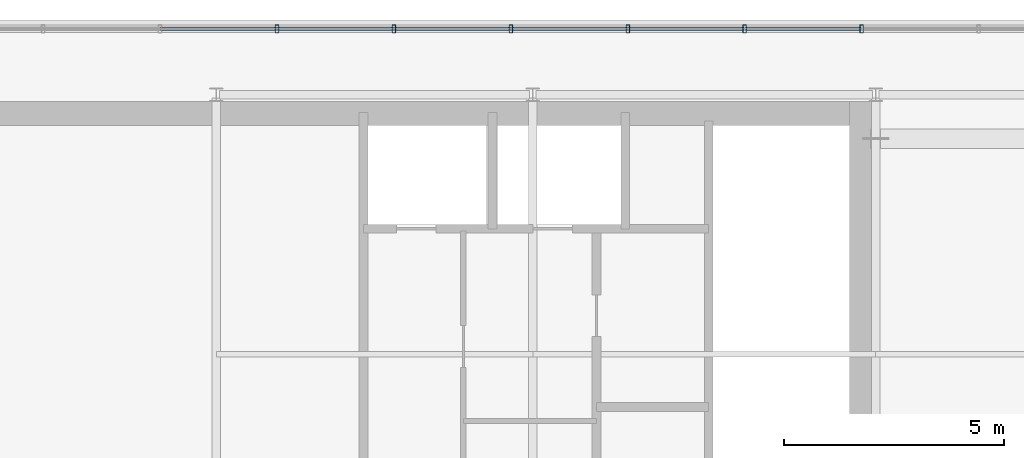
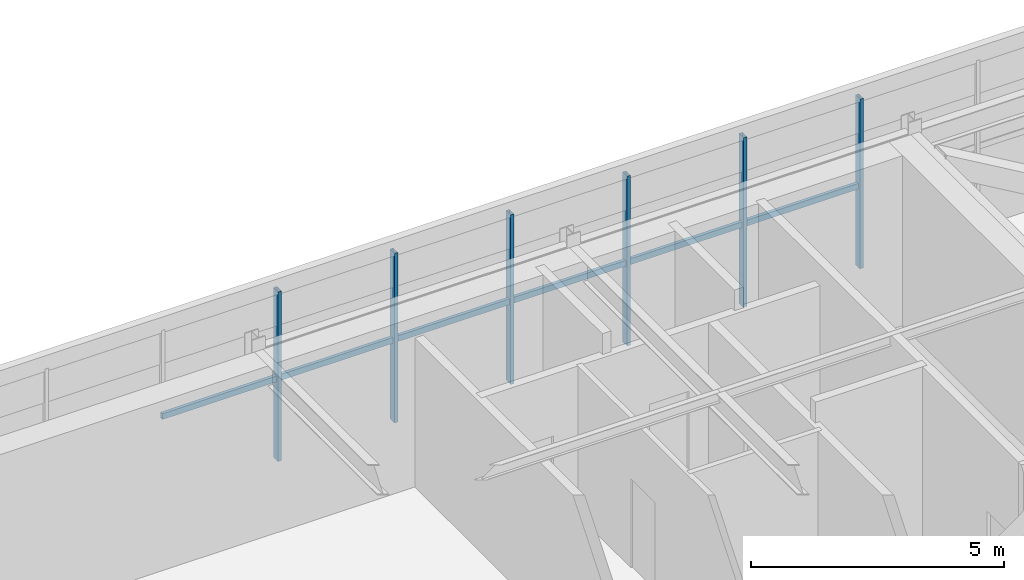
# One storey, part 25 of 37: 12 members, 1 element without a shape of its own.
"""IFC4 building model written with IfcOpenShell, lengths in metres."""

from ifc_helpers import new_model, si_unit, direction, frame, origin, origin_2d, place, context, subcontext, project, spatial, hollow_rectangle, extrude, source, transform, mapped, material, material_profile, profile_set, type_object, element, aggregate, save


model = new_model("IFC4")

# Units and contexts
model_context = context("Model", 3, precision=1e-05, world=origin(), true_north=direction((0.0, 1.0)))
body_context = subcontext(model_context, "Body", "Model", "MODEL_VIEW")
ifc_project = project(units=[si_unit("LENGTHUNIT", "METRE"), si_unit("AREAUNIT", "SQUARE_METRE"), si_unit("VOLUMEUNIT", "CUBIC_METRE"), si_unit("PLANEANGLEUNIT", "RADIAN"), si_unit("MASSUNIT", "GRAM", prefix="KILO")], contexts=[model_context])

# Site, building, storey
site_placement = place(None, origin())
site = spatial("IfcSite", under=ifc_project, at=site_placement, CompositionType="ELEMENT")
building_placement = place(site_placement, origin())
building = spatial("IfcBuilding", under=site, at=building_placement, Name="Trelvane Seafront Commons", CompositionType="ELEMENT")
storey_placement = place(building_placement, frame((0.0, 0.0, 303.5)))
storey = spatial("IfcBuildingStorey", under=building, at=storey_placement, Name="L79", CompositionType="ELEMENT", Elevation=303.5)

# Curtain wall, members
ifc_material = material(Name="Anodised pale-silver aluminium", Category="aluminium")
curtain_wall_type = type_object("IfcCurtainWallType", Name="ARCH-CW6-CROWN", PredefinedType="NOTDEFINED", material=ifc_material)
curtain_wall_placement = place(storey_placement, origin())
curtain_wall = element("IfcCurtainWall", 1, at=curtain_wall_placement, inside=storey, type_object=curtain_wall_type, Name="CW-L79-0129", PredefinedType="NOTDEFINED")
ifc_material_profile_1 = material_profile(ifc_material, hollow_rectangle(XDim=0.074951171875, YDim=0.139892578125, WallThickness=0.00390625, at=origin_2d()), Name="TRAN-75x140x4")
ifc_profile_set_1 = profile_set([ifc_material_profile_1], Name="Anodised pale-silver aluminium")
member_type_1 = type_object("IfcMemberType", Name="ARCH-CW-TRAN-140", PredefinedType="USERDEFINED", material=ifc_profile_set_1)
shared_shape_1 = source(origin(), body_context, "Body", "SweptSolid", [
    extrude(hollow_rectangle(XDim=0.074951171875, YDim=0.139892578125, WallThickness=0.00390625, at=origin_2d()), origin(), (0.0, 0.0, 1.0), 2.635986328125),
])
member_1_placement = place(storey_placement, frame((42.531982421875, 46.60009765625, 1.968017578125), z_axis=(1.0, 0.0, 0.0), x_axis=(0.0, 1.0, 0.0)))
member_1 = element("IfcMember", 2, at=member_1_placement, type_object=member_type_1, Name="CW-L79-0129-T12", ObjectType="TRANSOM", PredefinedType="USERDEFINED", context=body_context, shape_type="MappedRepresentation", body=[
    mapped(shared_shape_1, transform((0.0, 0.0, 0.0), x_axis=(1.0, 0.0, 0.0), y_axis=(0.0, 1.0, 0.0), z_axis=(0.0, 0.0, 1.0), scale=1.0)),
])
member_2_placement = place(storey_placement, frame((45.19189453125, 46.60009765625, 1.968017578125), z_axis=(1.0, 0.0, 0.0), x_axis=(0.0, 1.0, 0.0)))
member_2 = element("IfcMember", 3, at=member_2_placement, type_object=member_type_1, Name="CW-L79-0129-T13", ObjectType="TRANSOM", PredefinedType="USERDEFINED", context=body_context, shape_type="MappedRepresentation", body=[
    mapped(shared_shape_1, transform((0.0, 0.0, 0.0), x_axis=(1.0, 0.0, 0.0), y_axis=(0.0, 1.0, 0.0), z_axis=(0.0, 0.0, 1.0), scale=1.0)),
])
member_3_placement = place(storey_placement, frame((47.85205078125, 46.60009765625, 1.968017578125), z_axis=(1.0, 0.0, 0.0), x_axis=(0.0, 1.0, 0.0)))
member_3 = element("IfcMember", 4, at=member_3_placement, type_object=member_type_1, Name="CW-L79-0129-T14", ObjectType="TRANSOM", PredefinedType="USERDEFINED", context=body_context, shape_type="MappedRepresentation", body=[
    mapped(shared_shape_1, transform((0.0, 0.0, 0.0), x_axis=(1.0, 0.0, 0.0), y_axis=(0.0, 1.0, 0.0), z_axis=(0.0, 0.0, 1.0), scale=1.0)),
])
member_4_placement = place(storey_placement, frame((50.511962890625, 46.60009765625, 1.968017578125), z_axis=(1.0, 0.0, 0.0), x_axis=(0.0, 1.0, 0.0)))
member_4 = element("IfcMember", 5, at=member_4_placement, type_object=member_type_1, Name="CW-L79-0129-T15", ObjectType="TRANSOM", PredefinedType="USERDEFINED", context=body_context, shape_type="MappedRepresentation", body=[
    mapped(shared_shape_1, transform((0.0, 0.0, 0.0), x_axis=(1.0, 0.0, 0.0), y_axis=(0.0, 1.0, 0.0), z_axis=(0.0, 0.0, 1.0), scale=1.0)),
])
member_5_placement = place(storey_placement, frame((53.172119140625, 46.60009765625, 1.968017578125), z_axis=(1.0, 0.0, 0.0), x_axis=(0.0, 1.0, 0.0)))
member_5 = element("IfcMember", 6, at=member_5_placement, type_object=member_type_1, Name="CW-L79-0129-T16", ObjectType="TRANSOM", PredefinedType="USERDEFINED", context=body_context, shape_type="MappedRepresentation", body=[
    mapped(shared_shape_1, transform((0.0, 0.0, 0.0), x_axis=(1.0, 0.0, 0.0), y_axis=(0.0, 1.0, 0.0), z_axis=(0.0, 0.0, 1.0), scale=1.0)),
])
member_6_placement = place(storey_placement, frame((55.83203125, 46.60009765625, 1.968017578125), z_axis=(1.0, 0.0, 0.0), x_axis=(0.0, 1.0, 0.0)))
member_6 = element("IfcMember", 7, at=member_6_placement, type_object=member_type_1, Name="CW-L79-0129-T17", ObjectType="TRANSOM", PredefinedType="USERDEFINED", context=body_context, shape_type="MappedRepresentation", body=[
    mapped(shared_shape_1, transform((0.0, 0.0, 0.0), x_axis=(1.0, 0.0, 0.0), y_axis=(0.0, 1.0, 0.0), z_axis=(0.0, 0.0, 1.0), scale=1.0)),
])
ifc_material_profile_2 = material_profile(ifc_material, hollow_rectangle(XDim=0.080078125, YDim=0.179931640625, WallThickness=0.00439453125, at=origin_2d()), Name="MULL-80x180x4.5")
ifc_profile_set_2 = profile_set([ifc_material_profile_2], Name="Anodised pale-silver aluminium")
member_type_2 = type_object("IfcMemberType", Name="ARCH-CW-MULL-180", PredefinedType="MULLION", material=ifc_profile_set_2)
shared_shape_2 = source(origin(), body_context, "Body", "SweptSolid", [
    extrude(hollow_rectangle(XDim=0.080078125, YDim=0.179931640625, WallThickness=0.00439453125, at=origin_2d()), origin(), (0.0, 0.0, 1.0), 4.10009765625),
])
member_7_placement = place(storey_placement, frame((45.179931640625, 46.60009765625, 0.0), z_axis=(0.0, 0.0, 1.0), x_axis=(1.0, 0.0, 0.0)))
member_7 = element("IfcMember", 8, at=member_7_placement, type_object=member_type_2, Name="CW-L79-0129-M13", PredefinedType="MULLION", context=body_context, shape_type="MappedRepresentation", body=[
    mapped(shared_shape_2, transform((0.0, 0.0, 0.0), x_axis=(1.0, 0.0, 0.0), y_axis=(0.0, 1.0, 0.0), z_axis=(0.0, 0.0, 1.0), scale=1.0)),
])
member_8_placement = place(storey_placement, frame((47.840087890625, 46.60009765625, 0.0), z_axis=(0.0, 0.0, 1.0), x_axis=(1.0, 0.0, 0.0)))
member_8 = element("IfcMember", 9, at=member_8_placement, type_object=member_type_2, Name="CW-L79-0129-M14", PredefinedType="MULLION", context=body_context, shape_type="MappedRepresentation", body=[
    mapped(shared_shape_2, transform((0.0, 0.0, 0.0), x_axis=(1.0, 0.0, 0.0), y_axis=(0.0, 1.0, 0.0), z_axis=(0.0, 0.0, 1.0), scale=1.0)),
])
member_9_placement = place(storey_placement, frame((50.5, 46.60009765625, 0.0), z_axis=(0.0, 0.0, 1.0), x_axis=(1.0, 0.0, 0.0)))
member_9 = element("IfcMember", 10, at=member_9_placement, type_object=member_type_2, Name="CW-L79-0129-M15", PredefinedType="MULLION", context=body_context, shape_type="MappedRepresentation", body=[
    mapped(shared_shape_2, transform((0.0, 0.0, 0.0), x_axis=(1.0, 0.0, 0.0), y_axis=(0.0, 1.0, 0.0), z_axis=(0.0, 0.0, 1.0), scale=1.0)),
])
member_10_placement = place(storey_placement, frame((53.159912109375, 46.60009765625, 0.0), z_axis=(0.0, 0.0, 1.0), x_axis=(1.0, 0.0, 0.0)))
member_10 = element("IfcMember", 11, at=member_10_placement, type_object=member_type_2, Name="CW-L79-0129-M16", PredefinedType="MULLION", context=body_context, shape_type="MappedRepresentation", body=[
    mapped(shared_shape_2, transform((0.0, 0.0, 0.0), x_axis=(1.0, 0.0, 0.0), y_axis=(0.0, 1.0, 0.0), z_axis=(0.0, 0.0, 1.0), scale=1.0)),
])
member_11_placement = place(storey_placement, frame((55.820068359375, 46.60009765625, 0.0), z_axis=(0.0, 0.0, 1.0), x_axis=(1.0, 0.0, 0.0)))
member_11 = element("IfcMember", 12, at=member_11_placement, type_object=member_type_2, Name="CW-L79-0129-M17", PredefinedType="MULLION", context=body_context, shape_type="MappedRepresentation", body=[
    mapped(shared_shape_2, transform((0.0, 0.0, 0.0), x_axis=(1.0, 0.0, 0.0), y_axis=(0.0, 1.0, 0.0), z_axis=(0.0, 0.0, 1.0), scale=1.0)),
])
member_12_placement = place(storey_placement, frame((58.47998046875, 46.60009765625, 0.0), z_axis=(0.0, 0.0, 1.0), x_axis=(1.0, 0.0, 0.0)))
member_12 = element("IfcMember", 13, at=member_12_placement, type_object=member_type_2, Name="CW-L79-0129-M18", PredefinedType="MULLION", context=body_context, shape_type="MappedRepresentation", body=[
    mapped(shared_shape_2, transform((0.0, 0.0, 0.0), x_axis=(1.0, 0.0, 0.0), y_axis=(0.0, 1.0, 0.0), z_axis=(0.0, 0.0, 1.0), scale=1.0)),
])
aggregate(curtain_wall, [member_7, member_8, member_9, member_10, member_11, member_12, member_1, member_2, member_3, member_4, member_5, member_6])

save(model, "model.ifc")
